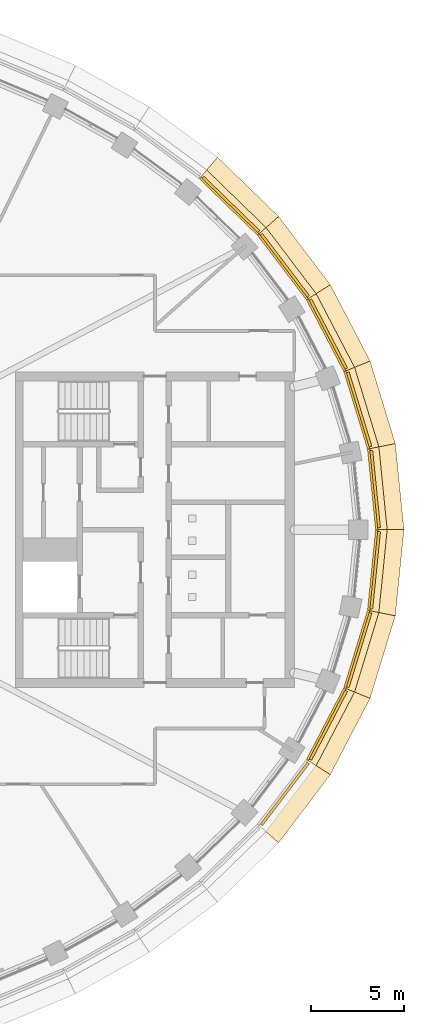
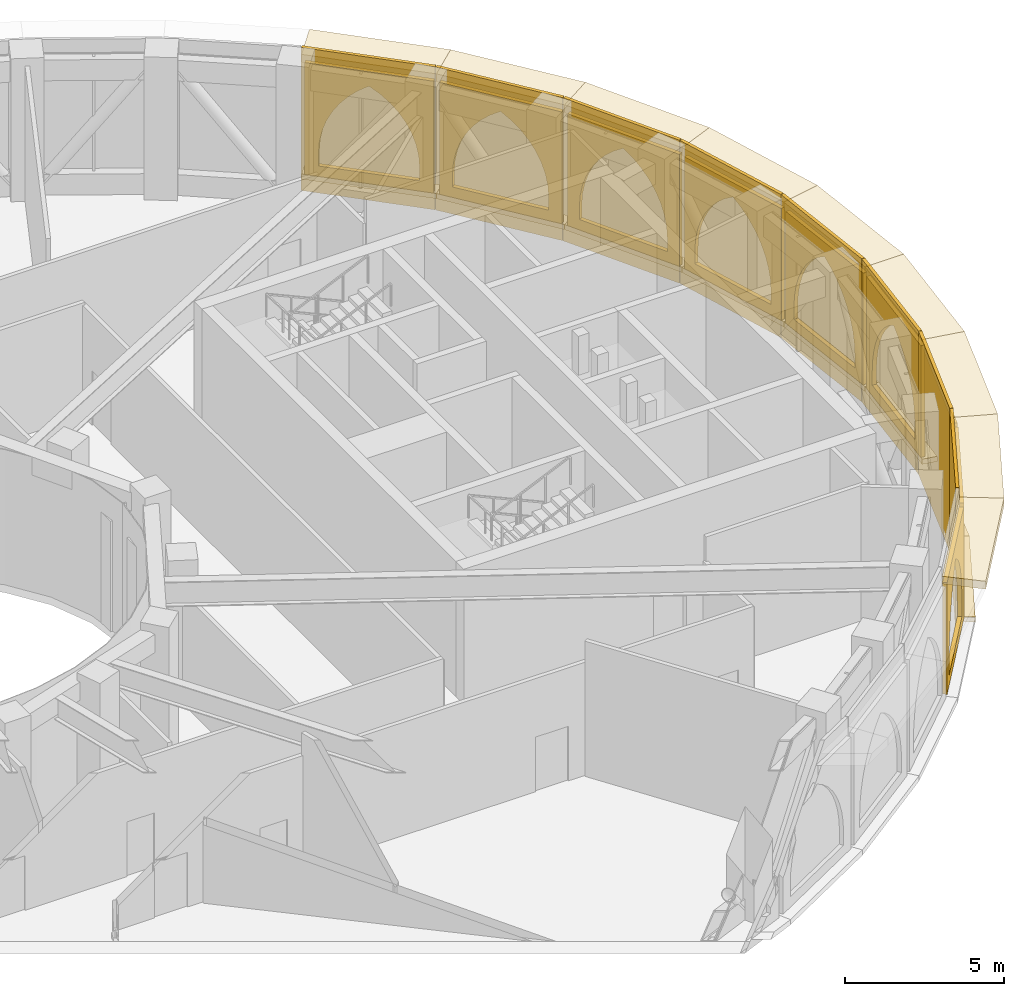
# One storey, part 23 of 23: 34 coverings.
"""IFC4 building model written with IfcOpenShell, lengths in metres."""

from ifc_helpers import new_model, si_unit, direction, frame, origin, origin_2d, place, context, subcontext, project, spatial, polyline, rectangle, outline, extrude, material, layer, layer_set, type_object, element, save


model = new_model("IFC4")

# Units and contexts
model_context = context("Model", 3, precision=1e-05, world=origin(), true_north=direction((0.0, 1.0)))
body_context = subcontext(model_context, "Body", "Model", "MODEL_VIEW")
ifc_project = project(units=[si_unit("LENGTHUNIT", "METRE"), si_unit("AREAUNIT", "SQUARE_METRE"), si_unit("VOLUMEUNIT", "CUBIC_METRE"), si_unit("PLANEANGLEUNIT", "RADIAN"), si_unit("MASSUNIT", "GRAM", prefix="KILO")], contexts=[model_context])

# Site, building, storey
site_placement = place(None, origin())
site = spatial("IfcSite", under=ifc_project, at=site_placement, CompositionType="ELEMENT")
building_placement = place(site_placement, origin())
building = spatial("IfcBuilding", under=site, at=building_placement, Name="Noorbagh Ring Tower", CompositionType="ELEMENT")
storey_placement = place(building_placement, frame((0.0, 0.0, 285.5)))
storey = spatial("IfcBuildingStorey", under=building, at=storey_placement, Name="L61", CompositionType="ELEMENT", Elevation=285.5)

# Coverings
ifc_material_1 = material(Name="Aluminium 6063-T6 black anodised", Category="aluminium")
ifc_layer_1 = layer(ifc_material_1, 0.1201171875)
ifc_layer_set_1 = layer_set([ifc_layer_1], Name="Aluminium 6063-T6 black anodised")
covering_type_1 = type_object("IfcCoveringType", Name="ENV-LOUVRE-BAND", PredefinedType="CLADDING", material=ifc_layer_set_1)
covering_1_placement = place(storey_placement, frame((35.720947265625, 2.17333984375, -0.300048828125), z_axis=(0.0, 0.0, 1.0), x_axis=(-0.100178263068, 0.994969504864, 0.0)))
element("IfcCovering", 1, at=covering_1_placement, inside=storey, type_object=covering_type_1, Name="Louvre screen chord 01", ObjectType="LOUVRE", PredefinedType="CLADDING", context=body_context, shape_type="SweptSolid", body=[
    extrude(rectangle(XDim=4.34423828125, YDim=0.1201171875, at=origin_2d()), origin(), (0.0, 0.0, 1.0), 5.5),
])
covering_2_placement = place(storey_placement, frame((34.86376953125, 6.436279296875, -0.300048828125), z_axis=(0.0, 0.0, 1.0), x_axis=(-0.292170066961, 0.95636637957, 0.0)))
element("IfcCovering", 2, at=covering_2_placement, inside=storey, type_object=covering_type_1, Name="Louvre screen chord 02", ObjectType="LOUVRE", PredefinedType="CLADDING", context=body_context, shape_type="SweptSolid", body=[
    extrude(rectangle(XDim=4.344970703125, YDim=0.1201171875, at=origin_2d()), origin(), (0.0, 0.0, 1.0), 5.5),
])
covering_3_placement = place(storey_placement, frame((33.21484375, 10.464111328125, -0.300048828125), z_axis=(0.0, 0.0, 1.0), x_axis=(-0.462278064231, 0.88673501754, 0.0)))
element("IfcCovering", 3, at=covering_3_placement, inside=storey, type_object=covering_type_1, Name="Louvre screen chord 03", ObjectType="LOUVRE", PredefinedType="CLADDING", context=body_context, shape_type="SweptSolid", body=[
    extrude(rectangle(XDim=4.345947265625, YDim=0.1201171875, at=origin_2d()), origin(), (0.0, 0.0, 1.0), 5.5),
])
covering_4_placement = place(storey_placement, frame((30.883544921875, 14.145263671875, -0.300048828125), z_axis=(0.0, 0.0, 1.0), x_axis=(-0.604020184358, 0.796969018776, 0.0)))
element("IfcCovering", 4, at=covering_4_placement, inside=storey, type_object=covering_type_1, Name="Louvre screen chord 04", ObjectType="LOUVRE", PredefinedType="CLADDING", context=body_context, shape_type="SweptSolid", body=[
    extrude(rectangle(XDim=4.346923828125, YDim=0.1201171875, at=origin_2d()), origin(), (0.0, 0.0, 1.0), 5.5),
])
covering_5_placement = place(storey_placement, frame((27.993408203125, 17.41259765625, -0.300048828125), z_axis=(0.0, 0.0, 1.0), x_axis=(-0.717224548362, 0.696842125038, 0.0)))
element("IfcCovering", 5, at=covering_5_placement, inside=storey, type_object=covering_type_1, Name="Louvre screen chord 05", ObjectType="LOUVRE", PredefinedType="CLADDING", context=body_context, shape_type="SweptSolid", body=[
    extrude(rectangle(XDim=4.347900390625, YDim=0.1201171875, at=origin_2d()), origin(), (0.0, 0.0, 1.0), 5.5),
])
covering_6_placement = place(storey_placement, frame((33.21484375, -10.464111328125, -0.300048828125), z_axis=(0.0, 0.0, 1.0), x_axis=(0.462278064231, 0.88673501754, 0.0)))
element("IfcCovering", 6, at=covering_6_placement, inside=storey, type_object=covering_type_1, Name="Louvre screen chord 44", ObjectType="LOUVRE", PredefinedType="CLADDING", context=body_context, shape_type="SweptSolid", body=[
    extrude(rectangle(XDim=4.345947265625, YDim=0.1201171875, at=origin_2d()), origin(), (0.0, 0.0, 1.0), 5.5),
])
covering_7_placement = place(storey_placement, frame((34.86376953125, -6.436279296875, -0.300048828125), z_axis=(0.0, 0.0, 1.0), x_axis=(0.292170066961, 0.95636637957, 0.0)))
element("IfcCovering", 7, at=covering_7_placement, inside=storey, type_object=covering_type_1, Name="Louvre screen chord 45", ObjectType="LOUVRE", PredefinedType="CLADDING", context=body_context, shape_type="SweptSolid", body=[
    extrude(rectangle(XDim=4.344970703125, YDim=0.1201171875, at=origin_2d()), origin(), (0.0, 0.0, 1.0), 5.5),
])
covering_8_placement = place(storey_placement, frame((35.720947265625, -2.17333984375, -0.300048828125), z_axis=(0.0, 0.0, 1.0), x_axis=(0.100178263068, 0.994969504864, 0.0)))
element("IfcCovering", 8, at=covering_8_placement, inside=storey, type_object=covering_type_1, Name="Louvre screen chord 46", ObjectType="LOUVRE", PredefinedType="CLADDING", context=body_context, shape_type="SweptSolid", body=[
    extrude(rectangle(XDim=4.34423828125, YDim=0.1201171875, at=origin_2d()), origin(), (0.0, 0.0, 1.0), 5.5),
])
ifc_material_2 = material(Name="Red sandstone cladding", Category="masonry")
ifc_layer_2 = layer(ifc_material_2, 0.14990234375)
ifc_layer_set_2 = layer_set([ifc_layer_2], Name="Red sandstone cladding")
covering_type_2 = type_object("IfcCoveringType", Name="STYLE-BAND-ARCADE", PredefinedType="USERDEFINED", material=ifc_layer_set_2)
covering_9_placement = place(storey_placement, frame((36.13916015625, 0.114501953125, 0.25), z_axis=(0.99497222215, 0.100151271334, 0.0), x_axis=(-0.100151271334, 0.99497222215, 0.0)))
element("IfcCovering", 9, at=covering_9_placement, inside=storey, type_object=covering_type_2, Name="Blind arch bay of the band", ObjectType="ARCH", PredefinedType="USERDEFINED", context=body_context, shape_type="SweptSolid", body=[
    extrude(outline(polyline([(0.0, 0.0), (4.1806640625, 0.0), (4.1806640625, 4.300048828125), (0.0, 4.300048828125), (0.0, 0.0)]), holes=[polyline([(0.449951171875, 0.39990234375), (0.449951171875, 0.908935546875), (0.47802734375, 1.337158203125), (0.561767578125, 1.758056640625), (0.69970703125, 2.164306640625), (0.889404296875, 2.54931640625), (1.1279296875, 2.906005859375), (1.410888671875, 3.228759765625), (1.7333984375, 3.51171875), (2.09033203125, 3.75), (2.447265625, 3.51171875), (2.769775390625, 3.228759765625), (3.052734375, 2.906005859375), (3.291259765625, 2.54931640625), (3.48095703125, 2.164306640625), (3.618896484375, 1.758056640625), (3.70263671875, 1.337158203125), (3.730712890625, 0.908935546875), (3.730712890625, 0.39990234375), (0.449951171875, 0.39990234375)])]), origin(), (0.0, 0.0, -1.0), 0.14990234375),
])
covering_10_placement = place(storey_placement, frame((35.67529296875, 4.498046875, 0.25), z_axis=(0.956367886414, 0.292165134531, 0.0), x_axis=(-0.292165134531, 0.956367886414, 0.0)))
element("IfcCovering", 10, at=covering_10_placement, inside=storey, type_object=covering_type_2, Name="Blind arch bay of the band", ObjectType="ARCH", PredefinedType="USERDEFINED", context=body_context, shape_type="SweptSolid", body=[
    extrude(outline(polyline([(0.0, 0.0), (4.181396484375, 0.0), (4.181396484375, 4.300048828125), (0.0, 4.300048828125), (0.0, 0.0)]), holes=[polyline([(0.449951171875, 0.39990234375), (0.449951171875, 0.908447265625), (0.47802734375, 1.336669921875), (0.561767578125, 1.757568359375), (0.69970703125, 2.1640625), (0.8896484375, 2.549072265625), (1.128173828125, 2.906005859375), (1.4111328125, 3.228515625), (1.73388671875, 3.51171875), (2.0908203125, 3.75), (2.447509765625, 3.51171875), (2.770263671875, 3.228515625), (3.05322265625, 2.906005859375), (3.291748046875, 2.549072265625), (3.4814453125, 2.1640625), (3.619384765625, 1.757568359375), (3.703125, 1.336669921875), (3.731201171875, 0.908447265625), (3.731201171875, 0.39990234375), (0.449951171875, 0.39990234375)])]), origin(), (0.0, 0.0, -1.0), 0.14990234375),
])
covering_11_placement = place(storey_placement, frame((34.367919921875, 8.706787109375, 0.25), z_axis=(0.886709716342, 0.462326593379, 0.0), x_axis=(-0.462326593379, 0.886709716342, 0.0)))
element("IfcCovering", 11, at=covering_11_placement, inside=storey, type_object=covering_type_2, Name="Blind arch bay of the band", ObjectType="ARCH", PredefinedType="USERDEFINED", context=body_context, shape_type="SweptSolid", body=[
    extrude(outline(polyline([(0.0, 0.0), (4.182373046875, 0.0), (4.182373046875, 4.300048828125), (0.0, 4.300048828125), (0.0, 0.0)]), holes=[polyline([(0.449951171875, 0.39990234375), (0.449951171875, 0.907470703125), (0.47802734375, 1.3359375), (0.561767578125, 1.757080078125), (0.699951171875, 2.16357421875), (0.8896484375, 2.548583984375), (1.12841796875, 2.90576171875), (1.411376953125, 3.228515625), (1.734130859375, 3.51171875), (2.09130859375, 3.75), (2.447998046875, 3.51171875), (2.77099609375, 3.228515625), (3.053955078125, 2.90576171875), (3.29248046875, 2.548583984375), (3.482421875, 2.16357421875), (3.62060546875, 1.757080078125), (3.7041015625, 1.3359375), (3.732421875, 0.907470703125), (3.732421875, 0.39990234375), (0.449951171875, 0.39990234375)])]), origin(), (0.0, 0.0, -1.0), 0.14990234375),
])
covering_12_placement = place(storey_placement, frame((32.314453125, 12.60498046875, 0.25), z_axis=(0.796985737541, 0.603998124299, 0.0), x_axis=(-0.603998124299, 0.796985737541, 0.0)))
element("IfcCovering", 12, at=covering_12_placement, inside=storey, type_object=covering_type_2, Name="Blind arch bay of the band", ObjectType="ARCH", PredefinedType="USERDEFINED", context=body_context, shape_type="SweptSolid", body=[
    extrude(outline(polyline([(0.0, 0.0), (4.18359375, 0.0), (4.18359375, 4.300048828125), (0.0, 4.300048828125), (0.0, 0.0)]), holes=[polyline([(0.449951171875, 0.39990234375), (0.449951171875, 0.906494140625), (0.47802734375, 1.335205078125), (0.56201171875, 1.75634765625), (0.699951171875, 2.1630859375), (0.889892578125, 2.54833984375), (1.12841796875, 2.905517578125), (1.41162109375, 3.228271484375), (1.734619140625, 3.511474609375), (2.091796875, 3.75), (2.44873046875, 3.511474609375), (2.771728515625, 3.228271484375), (3.054931640625, 2.905517578125), (3.29345703125, 2.54833984375), (3.4833984375, 2.1630859375), (3.62158203125, 1.75634765625), (3.705322265625, 1.335205078125), (3.7333984375, 0.906494140625), (3.7333984375, 0.39990234375), (0.449951171875, 0.39990234375)])]), origin(), (0.0, 0.0, -1.0), 0.14990234375),
])
covering_13_placement = place(storey_placement, frame((29.640380859375, 16.10546875, 0.25), z_axis=(0.696851724238, 0.717215221831, 0.0), x_axis=(-0.717215221831, 0.696851724238, 0.0)))
element("IfcCovering", 13, at=covering_13_placement, inside=storey, type_object=covering_type_2, Name="Blind arch bay of the band", ObjectType="ARCH", PredefinedType="USERDEFINED", context=body_context, shape_type="SweptSolid", body=[
    extrude(outline(polyline([(0.0, 0.0), (4.184326171875, 0.0), (4.184326171875, 4.300048828125), (0.0, 4.300048828125), (0.0, 0.0)]), holes=[polyline([(0.449951171875, 0.39990234375), (0.449951171875, 0.90576171875), (0.47802734375, 1.33447265625), (0.56201171875, 1.755859375), (0.699951171875, 2.16259765625), (0.889892578125, 2.548095703125), (1.128662109375, 2.9052734375), (1.411865234375, 3.228271484375), (1.73486328125, 3.511474609375), (2.092041015625, 3.75), (2.44921875, 3.511474609375), (2.772216796875, 3.228271484375), (3.0556640625, 2.9052734375), (3.294189453125, 2.548095703125), (3.484130859375, 2.16259765625), (3.622314453125, 1.755859375), (3.706298828125, 1.33447265625), (3.734130859375, 0.90576171875), (3.734130859375, 0.39990234375), (0.449951171875, 0.39990234375)])]), origin(), (0.0, 0.0, -1.0), 0.14990234375),
])
covering_14_placement = place(storey_placement, frame((29.78759765625, -15.939208984375, 0.25), z_axis=(0.796985737541, -0.603998124299, 0.0), x_axis=(0.603998124299, 0.796985737541, 0.0)))
element("IfcCovering", 14, at=covering_14_placement, inside=storey, type_object=covering_type_2, Name="Blind arch bay of the band", ObjectType="ARCH", PredefinedType="USERDEFINED", context=body_context, shape_type="SweptSolid", body=[
    extrude(outline(polyline([(0.0, 0.0), (4.18359375, 0.0), (4.18359375, 4.300048828125), (0.0, 4.300048828125), (0.0, 0.0)]), holes=[polyline([(0.449951171875, 0.39990234375), (0.449951171875, 0.906494140625), (0.47802734375, 1.335205078125), (0.56201171875, 1.75634765625), (0.699951171875, 2.1630859375), (0.889892578125, 2.54833984375), (1.12841796875, 2.905517578125), (1.41162109375, 3.228271484375), (1.734619140625, 3.511474609375), (2.091796875, 3.75), (2.44873046875, 3.511474609375), (2.771728515625, 3.228271484375), (3.054931640625, 2.905517578125), (3.29345703125, 2.54833984375), (3.4833984375, 2.1630859375), (3.62158203125, 1.75634765625), (3.705322265625, 1.335205078125), (3.7333984375, 0.906494140625), (3.7333984375, 0.39990234375), (0.449951171875, 0.39990234375)])]), origin(), (0.0, 0.0, -1.0), 0.14990234375),
])
covering_15_placement = place(storey_placement, frame((32.434326171875, -12.415283203125, 0.25), z_axis=(0.886709716342, -0.462326593379, 0.0), x_axis=(0.462326593379, 0.886709716342, 0.0)))
element("IfcCovering", 15, at=covering_15_placement, inside=storey, type_object=covering_type_2, Name="Blind arch bay of the band", ObjectType="ARCH", PredefinedType="USERDEFINED", context=body_context, shape_type="SweptSolid", body=[
    extrude(outline(polyline([(0.0, 0.0), (4.182373046875, 0.0), (4.182373046875, 4.300048828125), (0.0, 4.300048828125), (0.0, 0.0)]), holes=[polyline([(0.449951171875, 0.39990234375), (0.449951171875, 0.907470703125), (0.47802734375, 1.3359375), (0.561767578125, 1.757080078125), (0.699951171875, 2.16357421875), (0.8896484375, 2.548583984375), (1.12841796875, 2.90576171875), (1.411376953125, 3.228515625), (1.734130859375, 3.51171875), (2.09130859375, 3.75), (2.447998046875, 3.51171875), (2.77099609375, 3.228515625), (3.053955078125, 2.90576171875), (3.29248046875, 2.548583984375), (3.482421875, 2.16357421875), (3.62060546875, 1.757080078125), (3.7041015625, 1.3359375), (3.732421875, 0.907470703125), (3.732421875, 0.39990234375), (0.449951171875, 0.39990234375)])]), origin(), (0.0, 0.0, -1.0), 0.14990234375),
])
covering_16_placement = place(storey_placement, frame((34.45361328125, -8.4970703125, 0.25), z_axis=(0.956367886414, -0.292165134531, 0.0), x_axis=(0.292165134531, 0.956367886414, 0.0)))
element("IfcCovering", 16, at=covering_16_placement, inside=storey, type_object=covering_type_2, Name="Blind arch bay of the band", ObjectType="ARCH", PredefinedType="USERDEFINED", context=body_context, shape_type="SweptSolid", body=[
    extrude(outline(polyline([(0.0, 0.0), (4.181396484375, 0.0), (4.181396484375, 4.300048828125), (0.0, 4.300048828125), (0.0, 0.0)]), holes=[polyline([(0.449951171875, 0.39990234375), (0.449951171875, 0.908447265625), (0.47802734375, 1.336669921875), (0.561767578125, 1.757568359375), (0.69970703125, 2.1640625), (0.8896484375, 2.549072265625), (1.128173828125, 2.906005859375), (1.4111328125, 3.228515625), (1.73388671875, 3.51171875), (2.0908203125, 3.75), (2.447509765625, 3.51171875), (2.770263671875, 3.228515625), (3.05322265625, 2.906005859375), (3.291748046875, 2.549072265625), (3.4814453125, 2.1640625), (3.619384765625, 1.757568359375), (3.703125, 1.336669921875), (3.731201171875, 0.908447265625), (3.731201171875, 0.39990234375), (0.449951171875, 0.39990234375)])]), origin(), (0.0, 0.0, -1.0), 0.14990234375),
])
covering_17_placement = place(storey_placement, frame((35.720458984375, -4.274169921875, 0.25), z_axis=(0.99497222215, -0.100151271334, 0.0), x_axis=(0.100151271334, 0.99497222215, 0.0)))
element("IfcCovering", 17, at=covering_17_placement, inside=storey, type_object=covering_type_2, Name="Blind arch bay of the band", ObjectType="ARCH", PredefinedType="USERDEFINED", context=body_context, shape_type="SweptSolid", body=[
    extrude(outline(polyline([(0.0, 0.0), (4.1806640625, 0.0), (4.1806640625, 4.300048828125), (0.0, 4.300048828125), (0.0, 0.0)]), holes=[polyline([(0.449951171875, 0.39990234375), (0.449951171875, 0.908935546875), (0.47802734375, 1.337158203125), (0.561767578125, 1.758056640625), (0.69970703125, 2.164306640625), (0.889404296875, 2.54931640625), (1.1279296875, 2.906005859375), (1.410888671875, 3.228759765625), (1.7333984375, 3.51171875), (2.09033203125, 3.75), (2.447265625, 3.51171875), (2.769775390625, 3.228759765625), (3.052734375, 2.906005859375), (3.291259765625, 2.54931640625), (3.48095703125, 2.164306640625), (3.618896484375, 1.758056640625), (3.70263671875, 1.337158203125), (3.730712890625, 0.908935546875), (3.730712890625, 0.39990234375), (0.449951171875, 0.39990234375)])]), origin(), (0.0, 0.0, -1.0), 0.14990234375),
])
ifc_material_3 = material(Name="Red sandstone eave", Category="masonry")
covering_type_3 = type_object("IfcCoveringType", Name="STYLE-BAND-EAVE", PredefinedType="USERDEFINED", material=ifc_material_3)
covering_18_placement = place(storey_placement, frame((0.0, 0.0, 4.550048828125)))
element("IfcCovering", 18, at=covering_18_placement, inside=storey, type_object=covering_type_3, Name="Chhajja eave", ObjectType="CHHAJJA", PredefinedType="USERDEFINED", context=body_context, shape_type="SweptSolid", body=[
    extrude(outline(polyline([(36.0, 0.0), (35.561279296875, 4.358642578125), (36.940185546875, 4.635986328125), (37.406982421875, 0.0), (36.0, 0.0)])), origin(), (0.0, 0.0, 1.0), 0.300048828125),
])
covering_19_placement = place(storey_placement, frame((0.0, 0.0, 4.550048828125)))
element("IfcCovering", 19, at=covering_19_placement, inside=storey, type_object=covering_type_3, Name="Chhajja eave", ObjectType="CHHAJJA", PredefinedType="USERDEFINED", context=body_context, shape_type="SweptSolid", body=[
    extrude(outline(polyline([(35.561279296875, 4.358642578125), (34.281005859375, 8.548828125), (35.582275390625, 9.081298828125), (36.940185546875, 4.635986328125), (35.561279296875, 4.358642578125)])), origin(), (0.0, 0.0, 1.0), 0.300048828125),
])
covering_20_placement = place(storey_placement, frame((0.0, 0.0, 4.550048828125)))
element("IfcCovering", 20, at=covering_20_placement, inside=storey, type_object=covering_type_3, Name="Chhajja eave", ObjectType="CHHAJJA", PredefinedType="USERDEFINED", context=body_context, shape_type="SweptSolid", body=[
    extrude(outline(polyline([(34.281005859375, 8.548828125), (32.255126953125, 12.434814453125), (33.442138671875, 13.186279296875), (35.582275390625, 9.081298828125), (34.281005859375, 8.548828125)])), origin(), (0.0, 0.0, 1.0), 0.300048828125),
])
covering_21_placement = place(storey_placement, frame((0.0, 0.0, 4.550048828125)))
element("IfcCovering", 21, at=covering_21_placement, inside=storey, type_object=covering_type_3, Name="Chhajja eave", ObjectType="CHHAJJA", PredefinedType="USERDEFINED", context=body_context, shape_type="SweptSolid", body=[
    extrude(outline(polyline([(32.255126953125, 12.434814453125), (29.607666015625, 15.927978515625), (30.6591796875, 16.8583984375), (33.442138671875, 13.186279296875), (32.255126953125, 12.434814453125)])), origin(), (0.0, 0.0, 1.0), 0.300048828125),
])
covering_22_placement = place(storey_placement, frame((0.0, 0.0, 4.550048828125)))
element("IfcCovering", 22, at=covering_22_placement, inside=storey, type_object=covering_type_3, Name="Chhajja eave", ObjectType="CHHAJJA", PredefinedType="USERDEFINED", context=body_context, shape_type="SweptSolid", body=[
    extrude(outline(polyline([(29.607666015625, 15.927978515625), (26.463134765625, 18.9833984375), (27.3701171875, 20.053955078125), (30.6591796875, 16.8583984375), (29.607666015625, 15.927978515625)])), origin(), (0.0, 0.0, 1.0), 0.300048828125),
])
covering_23_placement = place(storey_placement, frame((0.0, 0.0, 4.550048828125)))
element("IfcCovering", 23, at=covering_23_placement, inside=storey, type_object=covering_type_3, Name="Chhajja eave", ObjectType="CHHAJJA", PredefinedType="USERDEFINED", context=body_context, shape_type="SweptSolid", body=[
    extrude(outline(polyline([(29.607666015625, -15.927978515625), (32.255126953125, -12.434814453125), (33.442138671875, -13.186279296875), (30.6591796875, -16.8583984375), (29.607666015625, -15.927978515625)])), origin(), (0.0, 0.0, 1.0), 0.300048828125),
])
covering_24_placement = place(storey_placement, frame((0.0, 0.0, 4.550048828125)))
element("IfcCovering", 24, at=covering_24_placement, inside=storey, type_object=covering_type_3, Name="Chhajja eave", ObjectType="CHHAJJA", PredefinedType="USERDEFINED", context=body_context, shape_type="SweptSolid", body=[
    extrude(outline(polyline([(32.255126953125, -12.434814453125), (34.281005859375, -8.548828125), (35.582275390625, -9.081298828125), (33.442138671875, -13.186279296875), (32.255126953125, -12.434814453125)])), origin(), (0.0, 0.0, 1.0), 0.300048828125),
])
covering_25_placement = place(storey_placement, frame((0.0, 0.0, 4.550048828125)))
element("IfcCovering", 25, at=covering_25_placement, inside=storey, type_object=covering_type_3, Name="Chhajja eave", ObjectType="CHHAJJA", PredefinedType="USERDEFINED", context=body_context, shape_type="SweptSolid", body=[
    extrude(outline(polyline([(34.281005859375, -8.548828125), (35.561279296875, -4.358642578125), (36.940185546875, -4.635986328125), (35.582275390625, -9.081298828125), (34.281005859375, -8.548828125)])), origin(), (0.0, 0.0, 1.0), 0.300048828125),
])
covering_26_placement = place(storey_placement, frame((0.0, 0.0, 4.550048828125)))
element("IfcCovering", 26, at=covering_26_placement, inside=storey, type_object=covering_type_3, Name="Chhajja eave", ObjectType="CHHAJJA", PredefinedType="USERDEFINED", context=body_context, shape_type="SweptSolid", body=[
    extrude(outline(polyline([(35.561279296875, -4.358642578125), (36.0, 0.0), (37.406982421875, 0.0), (36.940185546875, -4.635986328125), (35.561279296875, -4.358642578125)])), origin(), (0.0, 0.0, 1.0), 0.300048828125),
])
ifc_material_4 = material(Name="Red sandstone eave", Category="masonry")
covering_type_4 = type_object("IfcCoveringType", Name="STYLE-BAND-SILL", PredefinedType="USERDEFINED", material=ifc_material_4)
covering_27_placement = place(storey_placement, frame((0.0, 0.0, 0.050048828125)))
element("IfcCovering", 27, at=covering_27_placement, inside=storey, type_object=covering_type_4, Name="Sill ledge", ObjectType="CHHAJJA", PredefinedType="USERDEFINED", context=body_context, shape_type="SweptSolid", body=[
    extrude(outline(polyline([(36.0, 0.0), (35.561279296875, 4.358642578125), (36.0537109375, 4.457763671875), (36.50244140625, 0.0), (36.0, 0.0)])), origin(), (0.0, 0.0, 1.0), 0.199951171875),
])
covering_28_placement = place(storey_placement, frame((0.0, 0.0, 0.050048828125)))
element("IfcCovering", 28, at=covering_28_placement, inside=storey, type_object=covering_type_4, Name="Sill ledge", ObjectType="CHHAJJA", PredefinedType="USERDEFINED", context=body_context, shape_type="SweptSolid", body=[
    extrude(outline(polyline([(35.561279296875, 4.358642578125), (34.281005859375, 8.548828125), (34.745849609375, 8.739013671875), (36.0537109375, 4.457763671875), (35.561279296875, 4.358642578125)])), origin(), (0.0, 0.0, 1.0), 0.199951171875),
])
covering_29_placement = place(storey_placement, frame((0.0, 0.0, 0.050048828125)))
element("IfcCovering", 29, at=covering_29_placement, inside=storey, type_object=covering_type_4, Name="Sill ledge", ObjectType="CHHAJJA", PredefinedType="USERDEFINED", context=body_context, shape_type="SweptSolid", body=[
    extrude(outline(polyline([(34.281005859375, 8.548828125), (32.255126953125, 12.434814453125), (32.67919921875, 12.703125), (34.745849609375, 8.739013671875), (34.281005859375, 8.548828125)])), origin(), (0.0, 0.0, 1.0), 0.199951171875),
])
covering_30_placement = place(storey_placement, frame((0.0, 0.0, 0.050048828125)))
element("IfcCovering", 30, at=covering_30_placement, inside=storey, type_object=covering_type_4, Name="Sill ledge", ObjectType="CHHAJJA", PredefinedType="USERDEFINED", context=body_context, shape_type="SweptSolid", body=[
    extrude(outline(polyline([(32.255126953125, 12.434814453125), (29.607666015625, 15.927978515625), (29.983154296875, 16.260498046875), (32.67919921875, 12.703125), (32.255126953125, 12.434814453125)])), origin(), (0.0, 0.0, 1.0), 0.199951171875),
])
covering_31_placement = place(storey_placement, frame((0.0, 0.0, 0.050048828125)))
element("IfcCovering", 31, at=covering_31_placement, inside=storey, type_object=covering_type_4, Name="Sill ledge", ObjectType="CHHAJJA", PredefinedType="USERDEFINED", context=body_context, shape_type="SweptSolid", body=[
    extrude(outline(polyline([(29.607666015625, 15.927978515625), (26.463134765625, 18.9833984375), (26.787109375, 19.365478515625), (29.983154296875, 16.260498046875), (29.607666015625, 15.927978515625)])), origin(), (0.0, 0.0, 1.0), 0.199951171875),
])
covering_32_placement = place(storey_placement, frame((0.0, 0.0, 0.050048828125)))
element("IfcCovering", 32, at=covering_32_placement, inside=storey, type_object=covering_type_4, Name="Sill ledge", ObjectType="CHHAJJA", PredefinedType="USERDEFINED", context=body_context, shape_type="SweptSolid", body=[
    extrude(outline(polyline([(32.255126953125, -12.434814453125), (34.281005859375, -8.548828125), (34.745849609375, -8.739013671875), (32.67919921875, -12.703125), (32.255126953125, -12.434814453125)])), origin(), (0.0, 0.0, 1.0), 0.199951171875),
])
covering_33_placement = place(storey_placement, frame((0.0, 0.0, 0.050048828125)))
element("IfcCovering", 33, at=covering_33_placement, inside=storey, type_object=covering_type_4, Name="Sill ledge", ObjectType="CHHAJJA", PredefinedType="USERDEFINED", context=body_context, shape_type="SweptSolid", body=[
    extrude(outline(polyline([(34.281005859375, -8.548828125), (35.561279296875, -4.358642578125), (36.0537109375, -4.457763671875), (34.745849609375, -8.739013671875), (34.281005859375, -8.548828125)])), origin(), (0.0, 0.0, 1.0), 0.199951171875),
])
covering_34_placement = place(storey_placement, frame((0.0, 0.0, 0.050048828125)))
element("IfcCovering", 34, at=covering_34_placement, inside=storey, type_object=covering_type_4, Name="Sill ledge", ObjectType="CHHAJJA", PredefinedType="USERDEFINED", context=body_context, shape_type="SweptSolid", body=[
    extrude(outline(polyline([(35.561279296875, -4.358642578125), (36.0, 0.0), (36.50244140625, 0.0), (36.0537109375, -4.457763671875), (35.561279296875, -4.358642578125)])), origin(), (0.0, 0.0, 1.0), 0.199951171875),
])

save(model, "model.ifc")
